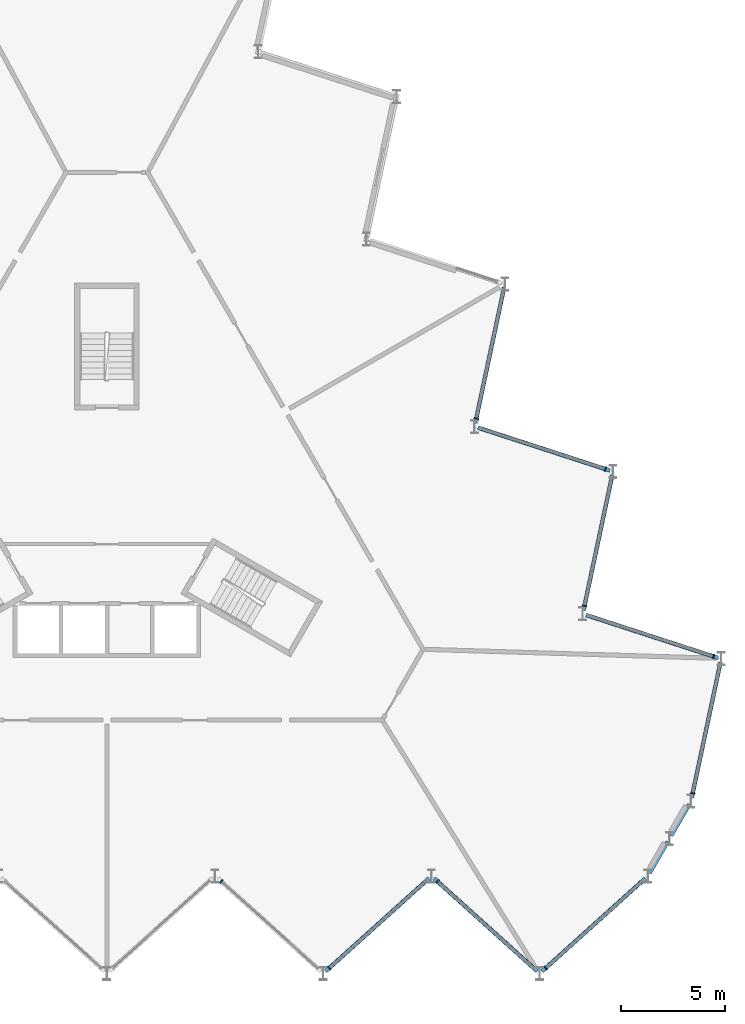
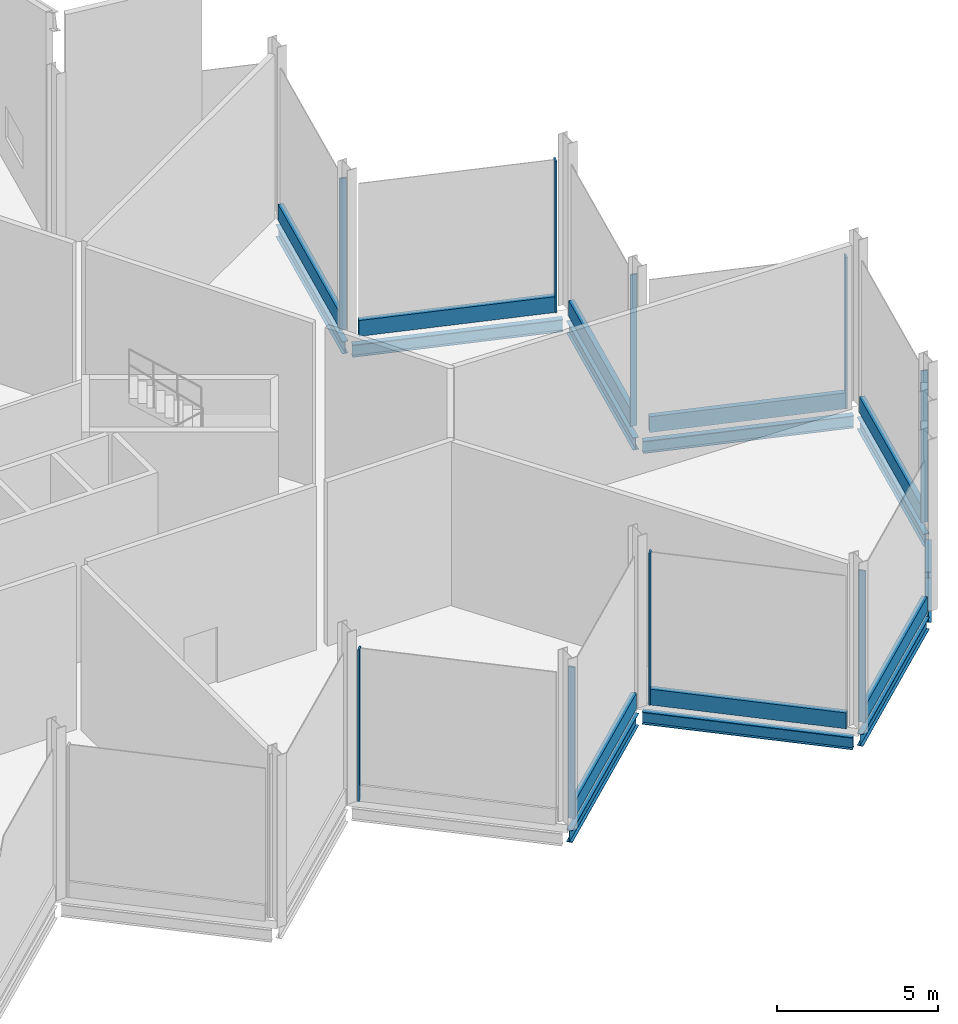
# One storey, part 6 of 12: 17 members, 10 beams, 9 elements without a shape of their own.
"""IFC4 building model written with IfcOpenShell, lengths in metres."""

from ifc_helpers import new_model, si_unit, direction, frame, origin, origin_2d, place, context, subcontext, project, spatial, rectangle, i_section, extrude, material, layer, layer_set, material_profile, profile_set, type_object, element, aggregate, save


model = new_model("IFC4")

# Units and contexts
model_context = context("Model", 3, precision=1e-05, world=origin(), true_north=direction((0.0, 1.0)))
body_context = subcontext(model_context, "Body", "Model", "MODEL_VIEW")
ifc_project = project(units=[si_unit("LENGTHUNIT", "METRE"), si_unit("AREAUNIT", "SQUARE_METRE"), si_unit("VOLUMEUNIT", "CUBIC_METRE"), si_unit("PLANEANGLEUNIT", "RADIAN"), si_unit("MASSUNIT", "GRAM", prefix="KILO")], contexts=[model_context])

# Site, building, storey
site_placement = place(None, origin())
site = spatial("IfcSite", under=ifc_project, at=site_placement, CompositionType="ELEMENT")
building_placement = place(site_placement, origin())
building = spatial("IfcBuilding", under=site, at=building_placement, Name="Cormorant Prow Tower", CompositionType="ELEMENT")
storey_placement = place(building_placement, frame((0.0, 0.0, 434.699951171875)))
storey = spatial("IfcBuildingStorey", under=building, at=storey_placement, Name="L97", CompositionType="ELEMENT", Elevation=434.699951171875)

# Curtain wall, member
ifc_material_1 = material(Name="Aluminium 6063-T6", Category="aluminium")
ifc_layer = layer(ifc_material_1, 0.219970703125)
ifc_layer_set = layer_set([ifc_layer], Name="Aluminium 6063-T6")
curtain_wall_type = type_object("IfcCurtainWallType", Name="Crown unitised curtain wall 220", PredefinedType="NOTDEFINED", material=ifc_layer_set)
curtain_wall_1_placement = place(storey_placement, origin())
curtain_wall_1 = element("IfcCurtainWall", 1, at=curtain_wall_1_placement, inside=storey, type_object=curtain_wall_type, Name="Crown curtain wall crown S06", PredefinedType="NOTDEFINED")
ifc_material_2 = material(Name="Aluminium 6063-T6", Category="aluminium")
ifc_material_profile_1 = material_profile(ifc_material_2, rectangle(XDim=0.219970703125, YDim=0.06005859375, at=origin_2d()), Name="Crown mullion 60x220")
ifc_profile_set_1 = profile_set([ifc_material_profile_1], Name="Aluminium 6063-T6")
member_type_1 = type_object("IfcMemberType", Name="Crown mullion 60x220", PredefinedType="MULLION", material=ifc_profile_set_1)
member_1_placement = place(storey_placement, frame((5.494384765625, -17.670654296875, 0.0), z_axis=(0.0, 0.0, 1.0), x_axis=(0.669130603959, 0.743144827638, 0.0)))
member_1 = element("IfcMember", 2, at=member_1_placement, type_object=member_type_1, Name="Crown mullion crown S06", PredefinedType="MULLION", context=body_context, shape_type="SweptSolid", body=[
    extrude(rectangle(XDim=0.219970703125, YDim=0.06005859375, at=origin_2d()), origin(), (0.0, 0.0, 1.0), 5.73388671875),
])
aggregate(curtain_wall_1, [member_1])

curtain_wall_2_placement = place(storey_placement, origin())
curtain_wall_2 = element("IfcCurtainWall", 3, at=curtain_wall_2_placement, inside=storey, type_object=curtain_wall_type, Name="Crown curtain wall crown S07", PredefinedType="NOTDEFINED")
member_2_placement = place(storey_placement, frame((10.6943359375, -21.82275390625, 0.0), z_axis=(0.0, 0.0, 1.0), x_axis=(-0.669130603959, 0.743144827638, 0.0)))
member_2 = element("IfcMember", 4, at=member_2_placement, type_object=member_type_1, Name="Crown mullion crown S07", PredefinedType="MULLION", context=body_context, shape_type="SweptSolid", body=[
    extrude(rectangle(XDim=0.219970703125, YDim=0.06005859375, at=origin_2d()), origin(), (0.0, 0.0, 1.0), 5.73388671875),
])

curtain_wall_3_placement = place(storey_placement, origin())
curtain_wall_3 = element("IfcCurtainWall", 5, at=curtain_wall_3_placement, inside=storey, type_object=curtain_wall_type, Name="Crown curtain wall crown S08", PredefinedType="NOTDEFINED")
member_3_placement = place(storey_placement, frame((15.894287109375, -17.670654296875, 0.0), z_axis=(0.0, 0.0, 1.0), x_axis=(0.669130603959, 0.743144827638, 0.0)))
member_3 = element("IfcMember", 6, at=member_3_placement, type_object=member_type_1, Name="Crown mullion crown S08", PredefinedType="MULLION", context=body_context, shape_type="SweptSolid", body=[
    extrude(rectangle(XDim=0.219970703125, YDim=0.06005859375, at=origin_2d()), origin(), (0.0, 0.0, 1.0), 5.73388671875),
])

curtain_wall_4_placement = place(storey_placement, origin())
curtain_wall_4 = element("IfcCurtainWall", 7, at=curtain_wall_4_placement, inside=storey, type_object=curtain_wall_type, Name="Crown curtain wall crown S09", PredefinedType="NOTDEFINED")
member_4_placement = place(storey_placement, frame((21.09423828125, -21.82275390625, 0.0), z_axis=(0.0, 0.0, 1.0), x_axis=(-0.669130603959, 0.743144827638, 0.0)))
member_4 = element("IfcMember", 8, at=member_4_placement, type_object=member_type_1, Name="Crown mullion crown S09", PredefinedType="MULLION", context=body_context, shape_type="SweptSolid", body=[
    extrude(rectangle(XDim=0.219970703125, YDim=0.06005859375, at=origin_2d()), origin(), (0.0, 0.0, 1.0), 5.73388671875),
])

curtain_wall_5_placement = place(storey_placement, origin())
curtain_wall_5 = element("IfcCurtainWall", 9, at=curtain_wall_5_placement, inside=storey, type_object=curtain_wall_type, Name="Crown curtain wall crown ENE00", PredefinedType="NOTDEFINED")
member_5_placement = place(storey_placement, frame((28.15625, -13.426513671875, 0.0), z_axis=(0.0, 0.0, 1.0), x_axis=(-0.978147615768, 0.207911620089, 0.0)))
member_5 = element("IfcMember", 10, at=member_5_placement, type_object=member_type_1, Name="Crown mullion crown ENE00", PredefinedType="MULLION", context=body_context, shape_type="SweptSolid", body=[
    extrude(rectangle(XDim=0.219970703125, YDim=0.06005859375, at=origin_2d()), origin(), (0.0, 0.0, 1.0), 5.73388671875),
])

curtain_wall_6_placement = place(storey_placement, origin())
curtain_wall_6 = element("IfcCurtainWall", 11, at=curtain_wall_6_placement, inside=storey, type_object=curtain_wall_type, Name="Crown curtain wall crown ENE01", PredefinedType="NOTDEFINED")
member_6_placement = place(storey_placement, frame((29.152099609375, -6.846923828125, 0.0), z_axis=(0.0, 0.0, 1.0), x_axis=(-0.309016937108, -0.951056534902, 0.0)))
member_6 = element("IfcMember", 12, at=member_6_placement, type_object=member_type_1, Name="Crown mullion crown ENE01", PredefinedType="MULLION", context=body_context, shape_type="SweptSolid", body=[
    extrude(rectangle(XDim=0.219970703125, YDim=0.06005859375, at=origin_2d()), origin(), (0.0, 0.0, 1.0), 5.73388671875),
])

curtain_wall_7_placement = place(storey_placement, origin())
curtain_wall_7 = element("IfcCurtainWall", 13, at=curtain_wall_7_placement, inside=storey, type_object=curtain_wall_type, Name="Crown curtain wall crown ENE02", PredefinedType="NOTDEFINED")
member_7_placement = place(storey_placement, frame((22.9560546875, -4.419677734375, 0.0), z_axis=(0.0, 0.0, 1.0), x_axis=(-0.978147615768, 0.207911620089, 0.0)))
member_7 = element("IfcMember", 14, at=member_7_placement, type_object=member_type_1, Name="Crown mullion crown ENE02", PredefinedType="MULLION", context=body_context, shape_type="SweptSolid", body=[
    extrude(rectangle(XDim=0.219970703125, YDim=0.06005859375, at=origin_2d()), origin(), (0.0, 0.0, 1.0), 5.73388671875),
])

curtain_wall_8_placement = place(storey_placement, origin())
curtain_wall_8 = element("IfcCurtainWall", 15, at=curtain_wall_8_placement, inside=storey, type_object=curtain_wall_type, Name="Crown curtain wall crown ENE03", PredefinedType="NOTDEFINED")
member_8_placement = place(storey_placement, frame((23.951904296875, 2.15966796875, 0.0), z_axis=(0.0, 0.0, 1.0), x_axis=(-0.309017066365, -0.951056492904, 0.0)))
member_8 = element("IfcMember", 16, at=member_8_placement, type_object=member_type_1, Name="Crown mullion crown ENE03", PredefinedType="MULLION", context=body_context, shape_type="SweptSolid", body=[
    extrude(rectangle(XDim=0.219970703125, YDim=0.06005859375, at=origin_2d()), origin(), (0.0, 0.0, 1.0), 5.73388671875),
])

curtain_wall_9_placement = place(storey_placement, origin())
curtain_wall_9 = element("IfcCurtainWall", 17, at=curtain_wall_9_placement, inside=storey, type_object=curtain_wall_type, Name="Crown curtain wall crown ENE04", PredefinedType="NOTDEFINED")
member_9_placement = place(storey_placement, frame((17.756103515625, 4.5869140625, 0.0), z_axis=(0.0, 0.0, 1.0), x_axis=(-0.978147609588, 0.207911649162, 0.0)))
member_9 = element("IfcMember", 18, at=member_9_placement, type_object=member_type_1, Name="Crown mullion crown ENE04", PredefinedType="MULLION", context=body_context, shape_type="SweptSolid", body=[
    extrude(rectangle(XDim=0.219970703125, YDim=0.06005859375, at=origin_2d()), origin(), (0.0, 0.0, 1.0), 5.73388671875),
])

# Beams
ifc_material_3 = material(Name="Structural steel ASTM A992 Gr 50", Category="steel")
ifc_material_profile_2 = material_profile(ifc_material_3, i_section(OverallWidth=0.19287109375, OverallDepth=0.466064453125, WebThickness=0.011474609375, FlangeThickness=0.01904296875, at=origin_2d()), Name="W18x65")
ifc_profile_set_2 = profile_set([ifc_material_profile_2], Name="Structural steel ASTM A992 Gr 50")
beam_type = type_object("IfcBeamType", Name="Crown ring beam W18x65", PredefinedType="SPANDREL", material=ifc_profile_set_2)
beam_1_placement = place(storey_placement, frame((10.521240234375, -21.978515625, -0.532958984375), z_axis=(0.743155826906, 0.669118387832, 0.0), x_axis=(-0.669118387832, 0.743155826906, 0.0)))
element("IfcBeam", 19, at=beam_1_placement, inside=storey, type_object=beam_type, Name="Crown ring beam SB5 S07-S08 L97", PredefinedType="SPANDREL", context=body_context, shape_type="SweptSolid", body=[
    extrude(i_section(OverallWidth=0.19287109375, OverallDepth=0.466064453125, WebThickness=0.011474609375, FlangeThickness=0.01904296875, at=origin_2d()), origin(), (0.0, 0.0, 1.0), 6.6708984375),
])
for number, where, z_axis, x_axis, name in (
    (20, (15.721435546875, -17.514892578125, -0.532958984375), (0.743139440672, -0.669136586743, 0.0), (0.669136586743, 0.743139440672, 0.0), "Crown ring beam SB5 S08-S09 L97"),
    (21, (20.92138671875, -21.978515625, -0.532958984375), (0.743139440672, 0.669136586743, 0.0), (-0.669136586743, 0.743139440672, 0.0), "Crown ring beam SB5 S09-ESE00 L97"),
):
    element("IfcBeam", number, at=place(storey_placement, frame(where, z_axis=z_axis, x_axis=x_axis)), inside=storey, type_object=beam_type, Name=name, PredefinedType="SPANDREL", context=body_context, shape_type="SweptSolid", body=[
        extrude(i_section(OverallWidth=0.19287109375, OverallDepth=0.466064453125, WebThickness=0.011474609375, FlangeThickness=0.01904296875, at=origin_2d()), origin(), (0.0, 0.0, 1.0), 6.670654296875),
    ])
for number, where, z_axis, x_axis, name in (
    (22, (26.08154296875, -17.264404296875, -0.532958984375), (0.500061095026, 0.865990127681, 0.0), (-0.865990127681, 0.500061095026, 0.0), "Crown ring beam SB5 ESE00-ESE01 L97"),
    (23, (27.118408203125, -15.46826171875, -0.532958984375), (0.500061095026, 0.865990127681, 0.0), (-0.865990127681, 0.500061095026, 0.0), "Crown ring beam SB5 ESE01-ENE00 L97"),
):
    element("IfcBeam", number, at=place(storey_placement, frame(where, z_axis=z_axis, x_axis=x_axis)), inside=storey, type_object=beam_type, Name=name, PredefinedType="SPANDREL", context=body_context, shape_type="SweptSolid", body=[
        extrude(i_section(OverallWidth=0.19287109375, OverallDepth=0.466064453125, WebThickness=0.011474609375, FlangeThickness=0.01904296875, at=origin_2d()), origin(), (0.0, 0.0, 1.0), 1.747314453125),
    ])
for number, where, z_axis, x_axis, name in (
    (24, (28.107666015625, -13.654052734375, -0.532958984375), (0.207919161079, 0.978146012851, 0.0), (-0.978146012851, 0.207919161079, 0.0), "Crown ring beam SB5 ENE00-ENE01 L97"),
    (25, (29.373291015625, -6.9189453125, -0.532958984375), (-0.95106042314, 0.309004970083, 0.0), (-0.309004970083, -0.95106042314, 0.0), "Crown ring beam SB5 ENE01-ENE02 L97"),
):
    element("IfcBeam", number, at=place(storey_placement, frame(where, z_axis=z_axis, x_axis=x_axis)), inside=storey, type_object=beam_type, Name=name, PredefinedType="SPANDREL", context=body_context, shape_type="SweptSolid", body=[
        extrude(i_section(OverallWidth=0.19287109375, OverallDepth=0.466064453125, WebThickness=0.011474609375, FlangeThickness=0.01904296875, at=origin_2d()), origin(), (0.0, 0.0, 1.0), 6.670654296875),
    ])
beam_2_placement = place(storey_placement, frame((22.90771484375, -4.6474609375, -0.532958984375), z_axis=(0.207911717999, 0.978147594956, 0.0), x_axis=(-0.978147594956, 0.207911717999, 0.0)))
element("IfcBeam", 26, at=beam_2_placement, inside=storey, type_object=beam_type, Name="Crown ring beam SB5 ENE02-ENE03 L97", PredefinedType="SPANDREL", context=body_context, shape_type="SweptSolid", body=[
    extrude(i_section(OverallWidth=0.19287109375, OverallDepth=0.466064453125, WebThickness=0.011474609375, FlangeThickness=0.01904296875, at=origin_2d()), origin(), (0.0, 0.0, 1.0), 6.6708984375),
])
beam_3_placement = place(storey_placement, frame((24.17333984375, 2.087646484375, -0.532958984375), z_axis=(-0.951049666898, 0.309038073858, 0.0), x_axis=(-0.309038073858, -0.951049666898, 0.0)))
element("IfcBeam", 27, at=beam_3_placement, inside=storey, type_object=beam_type, Name="Crown ring beam SB5 ENE03-ENE04 L97", PredefinedType="SPANDREL", context=body_context, shape_type="SweptSolid", body=[
    extrude(i_section(OverallWidth=0.19287109375, OverallDepth=0.466064453125, WebThickness=0.011474609375, FlangeThickness=0.01904296875, at=origin_2d()), origin(), (0.0, 0.0, 1.0), 6.670654296875),
])
beam_4_placement = place(storey_placement, frame((17.707763671875, 4.359130859375, -0.532958984375), z_axis=(0.207911717999, 0.978147594956, 0.0), x_axis=(-0.978147594956, 0.207911717999, 0.0)))
element("IfcBeam", 28, at=beam_4_placement, inside=storey, type_object=beam_type, Name="Crown ring beam SB5 ENE04-ENE05 L97", PredefinedType="SPANDREL", context=body_context, shape_type="SweptSolid", body=[
    extrude(i_section(OverallWidth=0.19287109375, OverallDepth=0.466064453125, WebThickness=0.011474609375, FlangeThickness=0.01904296875, at=origin_2d()), origin(), (0.0, 0.0, 1.0), 6.6708984375),
])

# Member
ifc_material_4 = material(Name="Terracotta", Category="masonry")
ifc_material_profile_3 = material_profile(ifc_material_4, rectangle(XDim=0.179931640625, YDim=0.60009765625, at=origin_2d()), Name="Crown terracotta spandrel rail 180x600")
ifc_profile_set_3 = profile_set([ifc_material_profile_3], Name="Terracotta")
member_type_2 = type_object("IfcMemberType", Name="Crown terracotta spandrel rail 180x600", PredefinedType="USERDEFINED", material=ifc_profile_set_3)
member_10_placement = place(storey_placement, frame((10.716552734375, -21.802734375, 0.300048828125), z_axis=(0.743159145999, 0.669114701466, 0.0), x_axis=(-0.669114701466, 0.743159145999, 0.0)))
member_10 = element("IfcMember", 29, at=member_10_placement, type_object=member_type_2, Name="Crown spandrel rail crown S07", ObjectType="TRANSOM", PredefinedType="USERDEFINED", context=body_context, shape_type="SweptSolid", body=[
    extrude(rectangle(XDim=0.179931640625, YDim=0.60009765625, at=origin_2d()), origin(), (0.0, 0.0, 1.0), 6.205322265625),
])

aggregate(curtain_wall_2, [member_2, member_10])

member_11_placement = place(storey_placement, frame((15.91650390625, -17.690673828125, 0.300048828125), z_axis=(0.743139582304, -0.669136429447, 0.0), x_axis=(0.669136429447, 0.743139582304, 0.0)))
member_11 = element("IfcMember", 30, at=member_11_placement, type_object=member_type_2, Name="Crown spandrel rail crown S08", ObjectType="TRANSOM", PredefinedType="USERDEFINED", context=body_context, shape_type="SweptSolid", body=[
    extrude(rectangle(XDim=0.179931640625, YDim=0.60009765625, at=origin_2d()), origin(), (0.0, 0.0, 1.0), 6.20556640625),
])

aggregate(curtain_wall_3, [member_3, member_11])

member_12_placement = place(storey_placement, frame((21.11669921875, -21.802734375, 0.300048828125), z_axis=(0.743141530577, 0.669134265699, 0.0), x_axis=(-0.669134265699, 0.743141530577, 0.0)))
member_12 = element("IfcMember", 31, at=member_12_placement, type_object=member_type_2, Name="Crown spandrel rail crown S09", ObjectType="TRANSOM", PredefinedType="USERDEFINED", context=body_context, shape_type="SweptSolid", body=[
    extrude(rectangle(XDim=0.179931640625, YDim=0.60009765625, at=origin_2d()), origin(), (0.0, 0.0, 1.0), 6.205078125),
])

aggregate(curtain_wall_4, [member_4, member_12])

member_13_placement = place(storey_placement, frame((28.162353515625, -13.397216796875, 0.300048828125), z_axis=(0.207927454003, 0.978144250033, 0.0), x_axis=(-0.978144250033, 0.207927454003, 0.0)))
member_13 = element("IfcMember", 32, at=member_13_placement, type_object=member_type_2, Name="Crown spandrel rail crown ENE00", ObjectType="TRANSOM", PredefinedType="USERDEFINED", context=body_context, shape_type="SweptSolid", body=[
    extrude(rectangle(XDim=0.179931640625, YDim=0.60009765625, at=origin_2d()), origin(), (0.0, 0.0, 1.0), 6.20556640625),
])

aggregate(curtain_wall_5, [member_5, member_13])

member_14_placement = place(storey_placement, frame((29.12353515625, -6.837890625, 0.300048828125), z_axis=(-0.951048234918, 0.309042480672, 0.0), x_axis=(-0.309042480672, -0.951048234918, 0.0)))
member_14 = element("IfcMember", 33, at=member_14_placement, type_object=member_type_2, Name="Crown spandrel rail crown ENE01", ObjectType="TRANSOM", PredefinedType="USERDEFINED", context=body_context, shape_type="SweptSolid", body=[
    extrude(rectangle(XDim=0.179931640625, YDim=0.60009765625, at=origin_2d()), origin(), (0.0, 0.0, 1.0), 6.205322265625),
])

aggregate(curtain_wall_6, [member_6, member_14])

member_15_placement = place(storey_placement, frame((22.96240234375, -4.390380859375, 0.300048828125), z_axis=(0.207897812215, 0.978150550619, 0.0), x_axis=(-0.978150550619, 0.207897812215, 0.0)))
member_15 = element("IfcMember", 34, at=member_15_placement, type_object=member_type_2, Name="Crown spandrel rail crown ENE02", ObjectType="TRANSOM", PredefinedType="USERDEFINED", context=body_context, shape_type="SweptSolid", body=[
    extrude(rectangle(XDim=0.179931640625, YDim=0.60009765625, at=origin_2d()), origin(), (0.0, 0.0, 1.0), 6.205078125),
])

aggregate(curtain_wall_7, [member_7, member_15])

member_16_placement = place(storey_placement, frame((23.923583984375, 2.1689453125, 0.300048828125), z_axis=(-0.951059797983, 0.309006894194, 0.0), x_axis=(-0.309006894194, -0.951059797983, 0.0)))
member_16 = element("IfcMember", 35, at=member_16_placement, type_object=member_type_2, Name="Crown spandrel rail crown ENE03", ObjectType="TRANSOM", PredefinedType="USERDEFINED", context=body_context, shape_type="SweptSolid", body=[
    extrude(rectangle(XDim=0.179931640625, YDim=0.60009765625, at=origin_2d()), origin(), (0.0, 0.0, 1.0), 6.205322265625),
])

aggregate(curtain_wall_8, [member_8, member_16])

member_17_placement = place(storey_placement, frame((17.762451171875, 4.6162109375, 0.300048828125), z_axis=(0.207897812215, 0.978150550619, 0.0), x_axis=(-0.978150550619, 0.207897812215, 0.0)))
member_17 = element("IfcMember", 36, at=member_17_placement, type_object=member_type_2, Name="Crown spandrel rail crown ENE04", ObjectType="TRANSOM", PredefinedType="USERDEFINED", context=body_context, shape_type="SweptSolid", body=[
    extrude(rectangle(XDim=0.179931640625, YDim=0.60009765625, at=origin_2d()), origin(), (0.0, 0.0, 1.0), 6.205078125),
])

aggregate(curtain_wall_9, [member_9, member_17])

save(model, "model.ifc")
